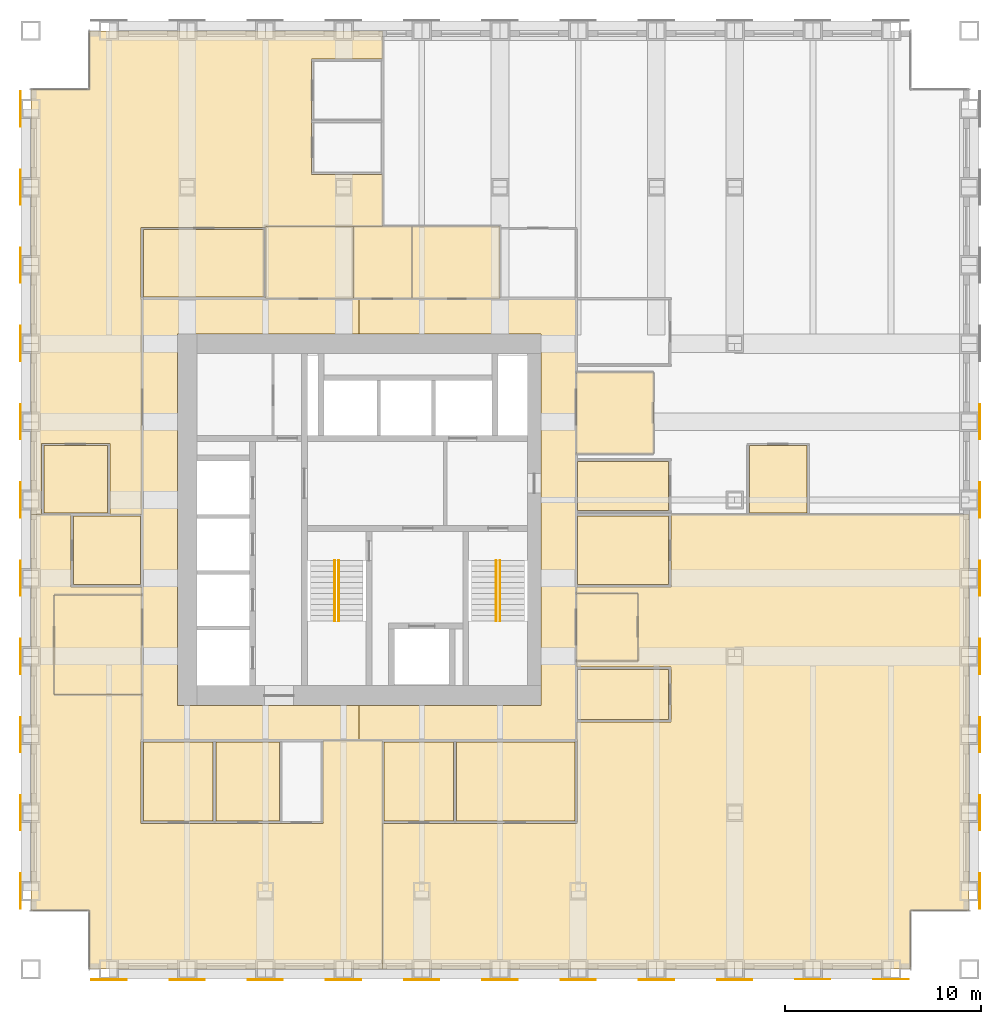
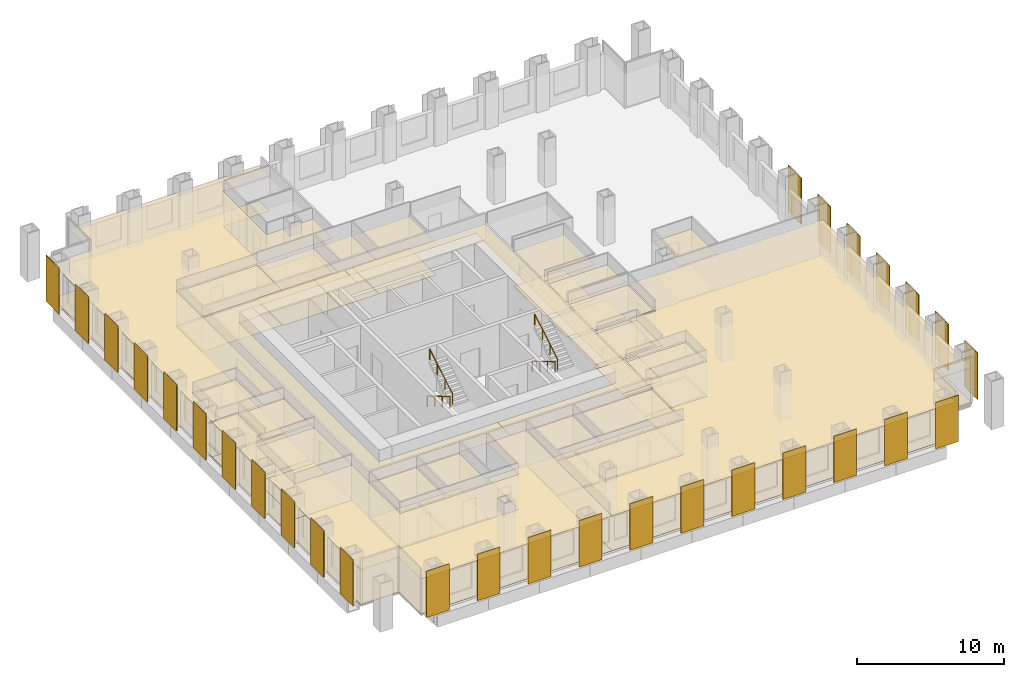
# One storey, part 15 of 16: 42 coverings, 29 shading devices, 4 railings.
"""IFC4 building model written with IfcOpenShell, lengths in metres."""

from ifc_helpers import new_model, si_unit, direction, frame, origin, origin_2d, place, context, subcontext, project, spatial, polyline, rectangle, circle, outline, extrude, material, layer, layer_set, type_object, element, save


model = new_model("IFC4")

# Units and contexts
model_context = context("Model", 3, precision=1e-05, world=origin(), true_north=direction((0.0, 1.0)))
body_context = subcontext(model_context, "Body", "Model", "MODEL_VIEW")
ifc_project = project(units=[si_unit("LENGTHUNIT", "METRE"), si_unit("AREAUNIT", "SQUARE_METRE"), si_unit("VOLUMEUNIT", "CUBIC_METRE"), si_unit("PLANEANGLEUNIT", "RADIAN"), si_unit("MASSUNIT", "GRAM", prefix="KILO")], contexts=[model_context])

# Site, building, storey
site_placement = place(None, origin())
site = spatial("IfcSite", under=ifc_project, at=site_placement, CompositionType="ELEMENT")
building_placement = place(site_placement, origin())
building = spatial("IfcBuilding", under=site, at=building_placement, Name="Rimbunsela Tower", CompositionType="ELEMENT")
storey_placement = place(building_placement, frame((0.0, 0.0, 121.39990234375)))
storey = spatial("IfcBuildingStorey", under=building, at=storey_placement, Name="L29", CompositionType="ELEMENT", Elevation=121.39990234375)

# Coverings
ifc_material_1 = material(Name="Nylon carpet tile", Category="textile")
ifc_layer_1 = layer(ifc_material_1, 0.010009765625)
ifc_layer_set_1 = layer_set([ifc_layer_1], Name="Carpet tile 10")
covering_type_1 = type_object("IfcCoveringType", Name="Carpet tile 10", PredefinedType="FLOORING", material=ifc_layer_set_1)
covering_1_placement = place(storey_placement, origin())
element("IfcCovering", 1, at=covering_1_placement, inside=storey, type_object=covering_type_1, Name="Floor finish Open office", PredefinedType="FLOORING", context=body_context, shape_type="SweptSolid", body=[
    extrude(outline(polyline([(19.449951171875, 11.449951171875), (22.75, 11.449951171875), (22.85009765625, 11.449951171875), (24.949951171875, 11.449951171875), (24.949951171875, 15.699951171875), (27.9990234375, 15.699951171875), (27.9990234375, 4.0), (15.699951171875, 4.0), (13.0, 4.0), (13.0, 7.0), (10.0, 7.0), (10.0, 27.2490234375), (12.050048828125, 27.2490234375), (12.050048828125, 23.549072265625), (15.699951171875, 23.549072265625), (15.699951171875, 23.14892578125), (11.199951171875, 23.14892578125), (11.199951171875, 18.049072265625), (15.699951171875, 18.049072265625), (15.699951171875, 15.75), (15.64990234375, 15.75), (15.64990234375, 11.449951171875), (15.699951171875, 11.449951171875), (19.35009765625, 11.449951171875), (19.449951171875, 11.449951171875)])), origin(), (0.0, 0.0, 1.0), 0.010009765625),
])
covering_2_placement = place(storey_placement, origin())
element("IfcCovering", 2, at=covering_2_placement, inside=storey, type_object=covering_type_1, Name="Floor finish Open office", PredefinedType="FLOORING", context=body_context, shape_type="SweptSolid", body=[
    extrude(outline(polyline([(15.64990234375, 41.949951171875), (15.64990234375, 38.25), (15.699951171875, 38.25), (15.699951171875, 27.2509765625), (14.050048828125, 27.2509765625), (14.050048828125, 30.89990234375), (10.550048828125, 30.89990234375), (10.550048828125, 27.2509765625), (10.0, 27.2509765625), (10.0, 49.0), (13.0, 49.0), (13.0, 52.0), (15.699951171875, 52.0), (27.9990234375, 52.0), (27.9990234375, 50.550048828125), (24.35009765625, 50.550048828125), (24.35009765625, 47.39990234375), (24.35009765625, 47.35009765625), (24.35009765625, 44.64990234375), (27.9990234375, 44.64990234375), (27.9990234375, 42.0), (22.0, 42.0), (22.0, 41.949951171875), (15.699951171875, 41.949951171875), (15.64990234375, 41.949951171875)])), origin(), (0.0, 0.0, 1.0), 0.010009765625),
])
covering_3_placement = place(storey_placement, origin())
element("IfcCovering", 3, at=covering_3_placement, inside=storey, type_object=covering_type_1, Name="Floor finish Open office", PredefinedType="FLOORING", context=body_context, shape_type="SweptSolid", body=[
    extrude(outline(polyline([(28.0009765625, 11.449951171875), (31.65087890625, 11.449951171875), (31.7509765625, 11.449951171875), (37.89990234375, 11.449951171875), (37.949951171875, 11.449951171875), (37.949951171875, 15.75), (37.89990234375, 15.75), (37.89990234375, 16.64990234375), (42.75, 16.64990234375), (42.75, 19.448974609375), (37.89990234375, 19.448974609375), (37.89990234375, 19.77392578125), (41.050048828125, 19.77392578125), (41.050048828125, 23.22412109375), (37.89990234375, 23.22412109375), (37.89990234375, 23.549072265625), (42.75, 23.549072265625), (42.75, 27.2490234375), (58.0, 27.2490234375), (58.0, 7.0), (55.0, 7.0), (55.0, 4.0), (37.89990234375, 4.0), (28.0009765625, 4.0), (28.0009765625, 11.449951171875)])), origin(), (0.0, 0.0, 1.0), 0.010009765625),
])
covering_4_placement = place(storey_placement, origin())
element("IfcCovering", 4, at=covering_4_placement, inside=storey, type_object=covering_type_1, Name="Floor finish Reception", PredefinedType="FLOORING", context=body_context, shape_type="SweptSolid", body=[
    extrude(outline(polyline([(15.699951171875, 18.049072265625), (15.699951171875, 23.14892578125), (11.199951171875, 23.14892578125), (11.199951171875, 18.049072265625), (15.699951171875, 18.049072265625)])), origin(), (0.0, 0.0, 1.0), 0.010009765625),
])
covering_5_placement = place(storey_placement, origin())
element("IfcCovering", 5, at=covering_5_placement, inside=storey, type_object=covering_type_1, Name="Floor finish Reception", PredefinedType="FLOORING", context=body_context, shape_type="SweptSolid", body=[
    extrude(outline(polyline([(41.050048828125, 19.77392578125), (41.050048828125, 23.22412109375), (37.89990234375, 23.22412109375), (37.89990234375, 19.77392578125), (41.050048828125, 19.77392578125)])), origin(), (0.0, 0.0, 1.0), 0.010009765625),
])
covering_6_placement = place(storey_placement, origin())
element("IfcCovering", 6, at=covering_6_placement, inside=storey, type_object=covering_type_1, Name="Floor finish Reception", PredefinedType="FLOORING", context=body_context, shape_type="SweptSolid", body=[
    extrude(outline(polyline([(41.85009765625, 30.3759765625), (41.85009765625, 34.52587890625), (37.89990234375, 34.52587890625), (37.89990234375, 30.3759765625), (41.85009765625, 30.3759765625)])), origin(), (0.0, 0.0, 1.0), 0.010009765625),
])
covering_7_placement = place(storey_placement, origin())
element("IfcCovering", 7, at=covering_7_placement, inside=storey, type_object=covering_type_1, Name="Floor finish Meeting room", PredefinedType="FLOORING", context=body_context, shape_type="SweptSolid", body=[
    extrude(outline(polyline([(19.324951171875, 11.574951171875), (19.324951171875, 15.625), (15.77490234375, 15.625), (15.77490234375, 11.574951171875), (19.324951171875, 11.574951171875)])), origin(), (0.0, 0.0, 1.0), 0.010009765625),
])
covering_8_placement = place(storey_placement, origin())
element("IfcCovering", 8, at=covering_8_placement, inside=storey, type_object=covering_type_1, Name="Floor finish Pantry", PredefinedType="FLOORING", context=body_context, shape_type="SweptSolid", body=[
    extrude(outline(polyline([(22.72509765625, 11.574951171875), (22.72509765625, 15.625), (19.47509765625, 15.625), (19.47509765625, 11.574951171875), (22.72509765625, 11.574951171875)])), origin(), (0.0, 0.0, 1.0), 0.010009765625),
])
covering_9_placement = place(storey_placement, origin())
element("IfcCovering", 9, at=covering_9_placement, inside=storey, type_object=covering_type_1, Name="Floor finish Office", PredefinedType="FLOORING", context=body_context, shape_type="SweptSolid", body=[
    extrude(outline(polyline([(15.625, 23.674072265625), (15.625, 27.174072265625), (12.175048828125, 27.174072265625), (12.175048828125, 23.674072265625), (15.625, 23.674072265625)])), origin(), (0.0, 0.0, 1.0), 0.010009765625),
])
covering_10_placement = place(storey_placement, origin())
element("IfcCovering", 10, at=covering_10_placement, inside=storey, type_object=covering_type_1, Name="Floor finish Meeting room", PredefinedType="FLOORING", context=body_context, shape_type="SweptSolid", body=[
    extrude(outline(polyline([(21.925048828125, 38.375), (21.925048828125, 41.824951171875), (15.77490234375, 41.824951171875), (15.77490234375, 38.375), (21.925048828125, 38.375)])), origin(), (0.0, 0.0, 1.0), 0.010009765625),
])
covering_11_placement = place(storey_placement, origin())
element("IfcCovering", 11, at=covering_11_placement, inside=storey, type_object=covering_type_1, Name="Floor finish Meeting room", PredefinedType="FLOORING", context=body_context, shape_type="SweptSolid", body=[
    extrude(outline(polyline([(31.6259765625, 11.574951171875), (31.6259765625, 15.625), (28.075927734375, 15.625), (28.075927734375, 11.574951171875), (31.6259765625, 11.574951171875)])), origin(), (0.0, 0.0, 1.0), 0.010009765625),
])
covering_12_placement = place(storey_placement, origin())
element("IfcCovering", 12, at=covering_12_placement, inside=storey, type_object=covering_type_1, Name="Floor finish Pantry", PredefinedType="FLOORING", context=body_context, shape_type="SweptSolid", body=[
    extrude(outline(polyline([(37.824951171875, 11.574951171875), (37.824951171875, 15.625), (31.77587890625, 15.625), (31.77587890625, 11.574951171875), (37.824951171875, 11.574951171875)])), origin(), (0.0, 0.0, 1.0), 0.010009765625),
])
covering_13_placement = place(storey_placement, origin())
element("IfcCovering", 13, at=covering_13_placement, inside=storey, type_object=covering_type_1, Name="Floor finish Print and copy room", PredefinedType="FLOORING", context=body_context, shape_type="SweptSolid", body=[
    extrude(outline(polyline([(42.625, 16.77490234375), (42.625, 19.323974609375), (37.97509765625, 19.323974609375), (37.97509765625, 16.77490234375), (42.625, 16.77490234375)])), origin(), (0.0, 0.0, 1.0), 0.010009765625),
])
covering_14_placement = place(storey_placement, origin())
element("IfcCovering", 14, at=covering_14_placement, inside=storey, type_object=covering_type_1, Name="Floor finish Office", PredefinedType="FLOORING", context=body_context, shape_type="SweptSolid", body=[
    extrude(outline(polyline([(42.625, 23.674072265625), (42.625, 27.174072265625), (37.97509765625, 27.174072265625), (37.97509765625, 23.674072265625), (42.625, 23.674072265625)])), origin(), (0.0, 0.0, 1.0), 0.010009765625),
])
covering_15_placement = place(storey_placement, origin())
element("IfcCovering", 15, at=covering_15_placement, inside=storey, type_object=covering_type_1, Name="Floor finish Pantry", PredefinedType="FLOORING", context=body_context, shape_type="SweptSolid", body=[
    extrude(outline(polyline([(13.925048828125, 27.324951171875), (13.925048828125, 30.77490234375), (10.675048828125, 30.77490234375), (10.675048828125, 27.324951171875), (13.925048828125, 27.324951171875)])), origin(), (0.0, 0.0, 1.0), 0.010009765625),
])
covering_16_placement = place(storey_placement, origin())
element("IfcCovering", 16, at=covering_16_placement, inside=storey, type_object=covering_type_1, Name="Floor finish Print and copy room", PredefinedType="FLOORING", context=body_context, shape_type="SweptSolid", body=[
    extrude(outline(polyline([(42.625, 27.47509765625), (42.625, 29.97509765625), (37.97509765625, 29.97509765625), (37.97509765625, 27.47509765625), (42.625, 27.47509765625)])), origin(), (0.0, 0.0, 1.0), 0.010009765625),
])
covering_17_placement = place(storey_placement, origin())
element("IfcCovering", 17, at=covering_17_placement, inside=storey, type_object=covering_type_1, Name="Floor finish Office", PredefinedType="FLOORING", context=body_context, shape_type="SweptSolid", body=[
    extrude(outline(polyline([(49.699951171875, 27.324951171875), (49.699951171875, 30.77490234375), (46.75, 30.77490234375), (46.75, 27.324951171875), (49.699951171875, 27.324951171875)])), origin(), (0.0, 0.0, 1.0), 0.010009765625),
])
ifc_material_2 = material(Name="Mineral fibre ceiling tile", Category="gypsum")
ifc_layer_2 = layer(ifc_material_2, 0.02001953125)
ifc_layer_set_2 = layer_set([ifc_layer_2], Name="Ceiling 600 grid")
covering_type_2 = type_object("IfcCoveringType", Name="Ceiling 600 grid", PredefinedType="CEILING", material=ifc_layer_set_2)
covering_18_placement = place(storey_placement, frame((0.0, 0.0, 2.900146484375)))
element("IfcCovering", 18, at=covering_18_placement, inside=storey, type_object=covering_type_2, Name="Ceiling Ring corridor", PredefinedType="CEILING", context=body_context, shape_type="SweptSolid", body=[
    extrude(outline(polyline([(15.699951171875, 38.300048828125), (26.800048828125, 38.300048828125), (26.800048828125, 36.5), (17.5, 36.5), (17.5, 17.5), (26.800048828125, 17.5), (26.800048828125, 15.699951171875), (15.699951171875, 15.699951171875), (15.699951171875, 38.300048828125)])), origin(), (0.0, 0.0, 1.0), 0.02001953125),
])
covering_19_placement = place(storey_placement, frame((0.0, 0.0, 2.900146484375)))
element("IfcCovering", 19, at=covering_19_placement, inside=storey, type_object=covering_type_2, Name="Ceiling Ring corridor", PredefinedType="CEILING", context=body_context, shape_type="SweptSolid", body=[
    extrude(outline(polyline([(37.89990234375, 38.300048828125), (37.89990234375, 15.699951171875), (26.800048828125, 15.699951171875), (26.800048828125, 17.5), (36.10009765625, 17.5), (36.10009765625, 36.5), (26.800048828125, 36.5), (26.800048828125, 38.300048828125), (37.89990234375, 38.300048828125)])), origin(), (0.0, 0.0, 1.0), 0.02001953125),
])
covering_20_placement = place(storey_placement, frame((0.0, 0.0, 2.900146484375)))
element("IfcCovering", 20, at=covering_20_placement, inside=storey, type_object=covering_type_2, Name="Ceiling Open office", PredefinedType="CEILING", context=body_context, shape_type="SweptSolid", body=[
    extrude(outline(polyline([(19.449951171875, 11.449951171875), (22.75, 11.449951171875), (22.85009765625, 11.449951171875), (24.949951171875, 11.449951171875), (24.949951171875, 15.699951171875), (27.9990234375, 15.699951171875), (27.9990234375, 4.0), (15.699951171875, 4.0), (13.0, 4.0), (13.0, 7.0), (10.0, 7.0), (10.0, 27.2490234375), (12.050048828125, 27.2490234375), (12.050048828125, 23.549072265625), (15.699951171875, 23.549072265625), (15.699951171875, 23.14892578125), (11.199951171875, 23.14892578125), (11.199951171875, 18.049072265625), (15.699951171875, 18.049072265625), (15.699951171875, 15.75), (15.64990234375, 15.75), (15.64990234375, 11.449951171875), (15.699951171875, 11.449951171875), (19.35009765625, 11.449951171875), (19.449951171875, 11.449951171875)])), origin(), (0.0, 0.0, 1.0), 0.02001953125),
])
covering_21_placement = place(storey_placement, frame((0.0, 0.0, 2.900146484375)))
element("IfcCovering", 21, at=covering_21_placement, inside=storey, type_object=covering_type_2, Name="Ceiling Open office", PredefinedType="CEILING", context=body_context, shape_type="SweptSolid", body=[
    extrude(outline(polyline([(15.64990234375, 41.949951171875), (15.64990234375, 38.25), (15.699951171875, 38.25), (15.699951171875, 27.2509765625), (14.050048828125, 27.2509765625), (14.050048828125, 30.89990234375), (10.550048828125, 30.89990234375), (10.550048828125, 27.2509765625), (10.0, 27.2509765625), (10.0, 49.0), (13.0, 49.0), (13.0, 52.0), (15.699951171875, 52.0), (27.9990234375, 52.0), (27.9990234375, 50.550048828125), (24.35009765625, 50.550048828125), (24.35009765625, 47.39990234375), (24.35009765625, 47.35009765625), (24.35009765625, 44.64990234375), (27.9990234375, 44.64990234375), (27.9990234375, 42.0), (22.0, 42.0), (22.0, 41.949951171875), (15.699951171875, 41.949951171875), (15.64990234375, 41.949951171875)])), origin(), (0.0, 0.0, 1.0), 0.02001953125),
])
covering_22_placement = place(storey_placement, frame((0.0, 0.0, 2.900146484375)))
element("IfcCovering", 22, at=covering_22_placement, inside=storey, type_object=covering_type_2, Name="Ceiling Open office", PredefinedType="CEILING", context=body_context, shape_type="SweptSolid", body=[
    extrude(outline(polyline([(28.0009765625, 11.449951171875), (31.65087890625, 11.449951171875), (31.7509765625, 11.449951171875), (37.89990234375, 11.449951171875), (37.949951171875, 11.449951171875), (37.949951171875, 15.75), (37.89990234375, 15.75), (37.89990234375, 16.64990234375), (42.75, 16.64990234375), (42.75, 19.448974609375), (37.89990234375, 19.448974609375), (37.89990234375, 19.77392578125), (41.050048828125, 19.77392578125), (41.050048828125, 23.22412109375), (37.89990234375, 23.22412109375), (37.89990234375, 23.549072265625), (42.75, 23.549072265625), (42.75, 27.2490234375), (58.0, 27.2490234375), (58.0, 7.0), (55.0, 7.0), (55.0, 4.0), (37.89990234375, 4.0), (28.0009765625, 4.0), (28.0009765625, 11.449951171875)])), origin(), (0.0, 0.0, 1.0), 0.02001953125),
])
covering_23_placement = place(storey_placement, frame((0.0, 0.0, 2.900146484375)))
element("IfcCovering", 23, at=covering_23_placement, inside=storey, type_object=covering_type_2, Name="Ceiling Reception", PredefinedType="CEILING", context=body_context, shape_type="SweptSolid", body=[
    extrude(outline(polyline([(15.699951171875, 18.049072265625), (15.699951171875, 23.14892578125), (11.199951171875, 23.14892578125), (11.199951171875, 18.049072265625), (15.699951171875, 18.049072265625)])), origin(), (0.0, 0.0, 1.0), 0.02001953125),
])
covering_24_placement = place(storey_placement, frame((0.0, 0.0, 2.900146484375)))
element("IfcCovering", 24, at=covering_24_placement, inside=storey, type_object=covering_type_2, Name="Ceiling Reception", PredefinedType="CEILING", context=body_context, shape_type="SweptSolid", body=[
    extrude(outline(polyline([(41.050048828125, 19.77392578125), (41.050048828125, 23.22412109375), (37.89990234375, 23.22412109375), (37.89990234375, 19.77392578125), (41.050048828125, 19.77392578125)])), origin(), (0.0, 0.0, 1.0), 0.02001953125),
])
covering_25_placement = place(storey_placement, frame((0.0, 0.0, 2.900146484375)))
element("IfcCovering", 25, at=covering_25_placement, inside=storey, type_object=covering_type_2, Name="Ceiling Reception", PredefinedType="CEILING", context=body_context, shape_type="SweptSolid", body=[
    extrude(outline(polyline([(41.85009765625, 30.3759765625), (41.85009765625, 34.52587890625), (37.89990234375, 34.52587890625), (37.89990234375, 30.3759765625), (41.85009765625, 30.3759765625)])), origin(), (0.0, 0.0, 1.0), 0.02001953125),
])
covering_26_placement = place(storey_placement, frame((0.0, 0.0, 2.900146484375)))
element("IfcCovering", 26, at=covering_26_placement, inside=storey, type_object=covering_type_2, Name="Ceiling Meeting room", PredefinedType="CEILING", context=body_context, shape_type="SweptSolid", body=[
    extrude(outline(polyline([(19.324951171875, 11.574951171875), (19.324951171875, 15.625), (15.77490234375, 15.625), (15.77490234375, 11.574951171875), (19.324951171875, 11.574951171875)])), origin(), (0.0, 0.0, 1.0), 0.02001953125),
])
covering_27_placement = place(storey_placement, frame((0.0, 0.0, 2.900146484375)))
element("IfcCovering", 27, at=covering_27_placement, inside=storey, type_object=covering_type_2, Name="Ceiling Pantry", PredefinedType="CEILING", context=body_context, shape_type="SweptSolid", body=[
    extrude(outline(polyline([(22.72509765625, 11.574951171875), (22.72509765625, 15.625), (19.47509765625, 15.625), (19.47509765625, 11.574951171875), (22.72509765625, 11.574951171875)])), origin(), (0.0, 0.0, 1.0), 0.02001953125),
])
covering_28_placement = place(storey_placement, frame((0.0, 0.0, 2.900146484375)))
element("IfcCovering", 28, at=covering_28_placement, inside=storey, type_object=covering_type_2, Name="Ceiling Office", PredefinedType="CEILING", context=body_context, shape_type="SweptSolid", body=[
    extrude(outline(polyline([(15.625, 23.674072265625), (15.625, 27.174072265625), (12.175048828125, 27.174072265625), (12.175048828125, 23.674072265625), (15.625, 23.674072265625)])), origin(), (0.0, 0.0, 1.0), 0.02001953125),
])
covering_29_placement = place(storey_placement, frame((0.0, 0.0, 2.900146484375)))
element("IfcCovering", 29, at=covering_29_placement, inside=storey, type_object=covering_type_2, Name="Ceiling Meeting room", PredefinedType="CEILING", context=body_context, shape_type="SweptSolid", body=[
    extrude(outline(polyline([(21.925048828125, 38.375), (21.925048828125, 41.824951171875), (15.77490234375, 41.824951171875), (15.77490234375, 38.375), (21.925048828125, 38.375)])), origin(), (0.0, 0.0, 1.0), 0.02001953125),
])
covering_30_placement = place(storey_placement, frame((0.0, 0.0, 2.900146484375)))
element("IfcCovering", 30, at=covering_30_placement, inside=storey, type_object=covering_type_2, Name="Ceiling Meeting room", PredefinedType="CEILING", context=body_context, shape_type="SweptSolid", body=[
    extrude(outline(polyline([(31.6259765625, 11.574951171875), (31.6259765625, 15.625), (28.075927734375, 15.625), (28.075927734375, 11.574951171875), (31.6259765625, 11.574951171875)])), origin(), (0.0, 0.0, 1.0), 0.02001953125),
])
covering_31_placement = place(storey_placement, frame((0.0, 0.0, 2.900146484375)))
element("IfcCovering", 31, at=covering_31_placement, inside=storey, type_object=covering_type_2, Name="Ceiling Pantry", PredefinedType="CEILING", context=body_context, shape_type="SweptSolid", body=[
    extrude(outline(polyline([(37.824951171875, 11.574951171875), (37.824951171875, 15.625), (31.77587890625, 15.625), (31.77587890625, 11.574951171875), (37.824951171875, 11.574951171875)])), origin(), (0.0, 0.0, 1.0), 0.02001953125),
])
covering_32_placement = place(storey_placement, frame((0.0, 0.0, 2.900146484375)))
element("IfcCovering", 32, at=covering_32_placement, inside=storey, type_object=covering_type_2, Name="Ceiling Print and copy room", PredefinedType="CEILING", context=body_context, shape_type="SweptSolid", body=[
    extrude(outline(polyline([(42.625, 16.77490234375), (42.625, 19.323974609375), (37.97509765625, 19.323974609375), (37.97509765625, 16.77490234375), (42.625, 16.77490234375)])), origin(), (0.0, 0.0, 1.0), 0.02001953125),
])
covering_33_placement = place(storey_placement, frame((0.0, 0.0, 2.900146484375)))
element("IfcCovering", 33, at=covering_33_placement, inside=storey, type_object=covering_type_2, Name="Ceiling Office", PredefinedType="CEILING", context=body_context, shape_type="SweptSolid", body=[
    extrude(outline(polyline([(42.625, 23.674072265625), (42.625, 27.174072265625), (37.97509765625, 27.174072265625), (37.97509765625, 23.674072265625), (42.625, 23.674072265625)])), origin(), (0.0, 0.0, 1.0), 0.02001953125),
])
covering_34_placement = place(storey_placement, frame((0.0, 0.0, 2.900146484375)))
element("IfcCovering", 34, at=covering_34_placement, inside=storey, type_object=covering_type_2, Name="Ceiling Pantry", PredefinedType="CEILING", context=body_context, shape_type="SweptSolid", body=[
    extrude(outline(polyline([(13.925048828125, 27.324951171875), (13.925048828125, 30.77490234375), (10.675048828125, 30.77490234375), (10.675048828125, 27.324951171875), (13.925048828125, 27.324951171875)])), origin(), (0.0, 0.0, 1.0), 0.02001953125),
])
covering_35_placement = place(storey_placement, frame((0.0, 0.0, 2.900146484375)))
element("IfcCovering", 35, at=covering_35_placement, inside=storey, type_object=covering_type_2, Name="Ceiling Print and copy room", PredefinedType="CEILING", context=body_context, shape_type="SweptSolid", body=[
    extrude(outline(polyline([(42.625, 27.47509765625), (42.625, 29.97509765625), (37.97509765625, 29.97509765625), (37.97509765625, 27.47509765625), (42.625, 27.47509765625)])), origin(), (0.0, 0.0, 1.0), 0.02001953125),
])
covering_36_placement = place(storey_placement, frame((0.0, 0.0, 2.900146484375)))
element("IfcCovering", 36, at=covering_36_placement, inside=storey, type_object=covering_type_2, Name="Ceiling Office", PredefinedType="CEILING", context=body_context, shape_type="SweptSolid", body=[
    extrude(outline(polyline([(49.699951171875, 27.324951171875), (49.699951171875, 30.77490234375), (46.75, 30.77490234375), (46.75, 27.324951171875), (49.699951171875, 27.324951171875)])), origin(), (0.0, 0.0, 1.0), 0.02001953125),
])
ifc_material_3 = material(Name="Moisture-resistant plasterboard ceiling", Category="gypsum")
ifc_layer_3 = layer(ifc_material_3, 0.012451171875)
ifc_layer_set_3 = layer_set([ifc_layer_3], Name="Ceiling moisture-resistant board")
covering_type_3 = type_object("IfcCoveringType", Name="Ceiling moisture-resistant board", PredefinedType="CEILING", material=ifc_layer_set_3)
covering_37_placement = place(storey_placement, frame((0.0, 0.0, 2.60009765625)))
element("IfcCovering", 37, at=covering_37_placement, inside=storey, type_object=covering_type_3, Name="Ceiling Female WC", PredefinedType="CEILING", context=body_context, shape_type="SweptSolid", body=[
    extrude(outline(polyline([(26.5, 38.300048828125), (26.5, 42.0), (22.0, 42.0), (22.0, 38.300048828125), (26.5, 38.300048828125)])), origin(), (0.0, 0.0, 1.0), 0.02001953125),
])
covering_38_placement = place(storey_placement, frame((0.0, 0.0, 2.60009765625)))
element("IfcCovering", 38, at=covering_38_placement, inside=storey, type_object=covering_type_3, Name="Ceiling Accessible WC", PredefinedType="CEILING", context=body_context, shape_type="SweptSolid", body=[
    extrude(outline(polyline([(29.5, 38.300048828125), (29.5, 42.0), (26.5, 42.0), (26.5, 38.300048828125), (29.5, 38.300048828125)])), origin(), (0.0, 0.0, 1.0), 0.02001953125),
])
covering_39_placement = place(storey_placement, frame((0.0, 0.0, 2.60009765625)))
element("IfcCovering", 39, at=covering_39_placement, inside=storey, type_object=covering_type_3, Name="Ceiling Male WC", PredefinedType="CEILING", context=body_context, shape_type="SweptSolid", body=[
    extrude(outline(polyline([(34.0, 38.300048828125), (34.0, 42.0), (29.5, 42.0), (29.5, 38.300048828125), (34.0, 38.300048828125)])), origin(), (0.0, 0.0, 1.0), 0.02001953125),
])
ifc_material_4 = material(Name="Porcelain floor tile in adhesive bed", Category="ceramic")
ifc_layer_4 = layer(ifc_material_4, 0.02001953125)
ifc_layer_set_4 = layer_set([ifc_layer_4], Name="Porcelain tile 20")
covering_type_4 = type_object("IfcCoveringType", Name="Porcelain tile 20", PredefinedType="FLOORING", material=ifc_layer_set_4)
covering_40_placement = place(storey_placement, origin())
element("IfcCovering", 40, at=covering_40_placement, inside=storey, type_object=covering_type_4, Name="Floor finish Female WC", PredefinedType="FLOORING", context=body_context, shape_type="SweptSolid", body=[
    extrude(outline(polyline([(26.5, 38.300048828125), (26.5, 42.0), (22.0, 42.0), (22.0, 38.300048828125), (26.5, 38.300048828125)])), origin(), (0.0, 0.0, 1.0), 0.02001953125),
])
covering_41_placement = place(storey_placement, origin())
element("IfcCovering", 41, at=covering_41_placement, inside=storey, type_object=covering_type_4, Name="Floor finish Accessible WC", PredefinedType="FLOORING", context=body_context, shape_type="SweptSolid", body=[
    extrude(outline(polyline([(29.5, 38.300048828125), (29.5, 42.0), (26.5, 42.0), (26.5, 38.300048828125), (29.5, 38.300048828125)])), origin(), (0.0, 0.0, 1.0), 0.02001953125),
])
covering_42_placement = place(storey_placement, origin())
element("IfcCovering", 42, at=covering_42_placement, inside=storey, type_object=covering_type_4, Name="Floor finish Male WC", PredefinedType="FLOORING", context=body_context, shape_type="SweptSolid", body=[
    extrude(outline(polyline([(34.0, 38.300048828125), (34.0, 42.0), (29.5, 42.0), (29.5, 38.300048828125), (34.0, 38.300048828125)])), origin(), (0.0, 0.0, 1.0), 0.02001953125),
])

# Shading devices
ifc_material_5 = material(Name="Perforated aluminium, 35 % open area", Category="aluminium")
ifc_layer_5 = layer(ifc_material_5, 0.050048828125)
ifc_layer_set_5 = layer_set([ifc_layer_5], Name="Solar screen panel 1800")
shading_device_type = type_object("IfcShadingDeviceType", Name="Solar screen panel 1800", PredefinedType="USERDEFINED", material=ifc_layer_set_5)
for number, where, z_axis, x_axis, name in (
    (43, (14.0, 3.47509765625, 0.0), (0.0, 0.0, 1.0), (1.0, 0.0, 0.0), "Solar screen S L29"),
    (44, (18.0, 3.47509765625, 0.0), (0.0, 0.0, 1.0), (1.0, 0.0, 0.0), "Solar screen S L29"),
    (45, (22.0, 3.47509765625, 0.0), (0.0, 0.0, 1.0), (1.0, 0.0, 0.0), "Solar screen S L29"),
    (46, (26.0, 3.47509765625, 0.0), (0.0, 0.0, 1.0), (1.0, 0.0, 0.0), "Solar screen S L29"),
    (47, (30.0, 3.47509765625, 0.0), (0.0, 0.0, 1.0), (1.0, 0.0, 0.0), "Solar screen S L29"),
    (48, (34.0, 3.47509765625, 0.0), (0.0, 0.0, 1.0), (1.0, 0.0, 0.0), "Solar screen S L29"),
    (49, (38.0, 3.47509765625, 0.0), (0.0, 0.0, 1.0), (1.0, 0.0, 0.0), "Solar screen S L29"),
    (50, (42.0, 3.47509765625, 0.0), (0.0, 0.0, 1.0), (1.0, 0.0, 0.0), "Solar screen S L29"),
    (51, (46.0, 3.47509765625, 0.0), (0.0, 0.0, 1.0), (1.0, 0.0, 0.0), "Solar screen S L29"),
    (52, (50.0, 3.47509765625, 0.0), (0.0, 0.0, 1.0), (1.0, 0.0, 0.0), "Solar screen S L29"),
    (53, (54.0, 3.47509765625, 0.0), (0.0, 0.0, 1.0), (1.0, 0.0, 0.0), "Solar screen S L29"),
    (54, (58.52490234375, 8.0, 0.0), (0.0, 0.0, 1.0), (0.0, 1.0, 0.0), "Solar screen E L29"),
    (55, (58.52490234375, 12.0, 0.0), (0.0, 0.0, 1.0), (0.0, 1.0, 0.0), "Solar screen E L29"),
    (56, (58.52490234375, 16.0, 0.0), (0.0, 0.0, 1.0), (0.0, 1.0, 0.0), "Solar screen E L29"),
    (57, (58.52490234375, 20.0, 0.0), (0.0, 0.0, 1.0), (0.0, 1.0, 0.0), "Solar screen E L29"),
    (58, (58.52490234375, 24.0, 0.0), (0.0, 0.0, 1.0), (0.0, 1.0, 0.0), "Solar screen E L29"),
    (59, (58.52490234375, 28.0, 0.0), (0.0, 0.0, 1.0), (0.0, 1.0, 0.0), "Solar screen E L29"),
    (60, (58.52490234375, 32.0, 0.0), (0.0, 0.0, 1.0), (0.0, 1.0, 0.0), "Solar screen E L29"),
    (61, (9.47509765625, 8.0, 0.0), (0.0, 0.0, 1.0), (0.0, 1.0, 0.0), "Solar screen W L29"),
    (62, (9.47509765625, 12.0, 0.0), (0.0, 0.0, 1.0), (0.0, 1.0, 0.0), "Solar screen W L29"),
    (63, (9.47509765625, 16.0, 0.0), (0.0, 0.0, 1.0), (0.0, 1.0, 0.0), "Solar screen W L29"),
    (64, (9.47509765625, 20.0, 0.0), (0.0, 0.0, 1.0), (0.0, 1.0, 0.0), "Solar screen W L29"),
    (65, (9.47509765625, 24.0, 0.0), (0.0, 0.0, 1.0), (0.0, 1.0, 0.0), "Solar screen W L29"),
    (66, (9.47509765625, 28.0, 0.0), (0.0, 0.0, 1.0), (0.0, 1.0, 0.0), "Solar screen W L29"),
    (67, (9.47509765625, 32.0, 0.0), (0.0, 0.0, 1.0), (0.0, 1.0, 0.0), "Solar screen W L29"),
    (68, (9.47509765625, 36.0, 0.0), (0.0, 0.0, 1.0), (0.0, 1.0, 0.0), "Solar screen W L29"),
    (69, (9.47509765625, 40.0, 0.0), (0.0, 0.0, 1.0), (0.0, 1.0, 0.0), "Solar screen W L29"),
    (70, (9.47509765625, 44.0, 0.0), (0.0, 0.0, 1.0), (0.0, 1.0, 0.0), "Solar screen W L29"),
    (71, (9.47509765625, 48.0, 0.0), (0.0, 0.0, 1.0), (0.0, 1.0, 0.0), "Solar screen W L29"),
):
    element("IfcShadingDevice", number, at=place(storey_placement, frame(where, z_axis=z_axis, x_axis=x_axis)), inside=storey, type_object=shading_device_type, Name=name, ObjectType="SCREEN", PredefinedType="USERDEFINED", context=body_context, shape_type="SweptSolid", body=[
        extrude(rectangle(XDim=1.800048828125, YDim=0.050048828125, at=origin_2d()), origin(), (0.0, 0.0, 1.0), 3.85009765625),
    ])

# Railings
ifc_material_6 = material(Name="Stainless steel tube", Category="steel")
railing_type = type_object("IfcRailingType", Name="Stair handrail 900", PredefinedType="HANDRAIL", material=ifc_material_6)
railing_1_placement = place(storey_placement, frame((25.550048828125, 24.89990234375, 0.166748046875)))
element("IfcRailing", 72, at=railing_1_placement, inside=storey, type_object=railing_type, Name="Handrail ST-A flight 1", PredefinedType="HANDRAIL", context=body_context, shape_type="SweptSolid", body=[
    extrude(circle(Radius=0.02392578125, at=origin_2d()), frame((0.0, 0.0, 0.8759765625), z_axis=(0.0, -0.859290745958, 0.51148745235), x_axis=(1.0, 0.0, 0.0)), (0.0, 0.0, 1.0), 3.584228515625),
    extrude(circle(Radius=0.02099609375, at=origin_2d()), origin(), (0.0, 0.0, 1.0), 0.851806640625),
    extrude(circle(Radius=0.02099609375, at=origin_2d()), frame((0.0, -1.026611328125, 0.611083984375)), (0.0, 0.0, 1.0), 0.851806640625),
    extrude(circle(Radius=0.02099609375, at=origin_2d()), frame((0.0, -2.05322265625, 1.22216796875)), (0.0, 0.0, 1.0), 0.851806640625),
    extrude(circle(Radius=0.02099609375, at=origin_2d()), frame((0.0, -3.079833984375, 1.833251953125)), (0.0, 0.0, 1.0), 0.851806640625),
])
railing_2_placement = place(storey_placement, frame((25.75, 21.820068359375, 2.166748046875)))
element("IfcRailing", 73, at=railing_2_placement, inside=storey, type_object=railing_type, Name="Handrail ST-A flight 2", PredefinedType="HANDRAIL", context=body_context, shape_type="SweptSolid", body=[
    extrude(circle(Radius=0.02392578125, at=origin_2d()), frame((0.0, 0.0, 0.8759765625), z_axis=(0.0, 0.859290745958, 0.51148745235), x_axis=(-1.0, 0.0, 0.0)), (0.0, 0.0, 1.0), 3.584228515625),
    extrude(circle(Radius=0.02099609375, at=origin_2d()), origin(), (0.0, 0.0, 1.0), 0.851806640625),
    extrude(circle(Radius=0.02099609375, at=origin_2d()), frame((0.0, 1.026611328125, 0.611083984375)), (0.0, 0.0, 1.0), 0.851806640625),
    extrude(circle(Radius=0.02099609375, at=origin_2d()), frame((0.0, 2.05322265625, 1.22216796875)), (0.0, 0.0, 1.0), 0.851806640625),
    extrude(circle(Radius=0.02099609375, at=origin_2d()), frame((0.0, 3.079833984375, 1.833251953125)), (0.0, 0.0, 1.0), 0.851806640625),
])
railing_3_placement = place(storey_placement, frame((33.800048828125, 24.89990234375, 0.166748046875)))
element("IfcRailing", 74, at=railing_3_placement, inside=storey, type_object=railing_type, Name="Handrail ST-B flight 1", PredefinedType="HANDRAIL", context=body_context, shape_type="SweptSolid", body=[
    extrude(circle(Radius=0.02392578125, at=origin_2d()), frame((0.0, 0.0, 0.8759765625), z_axis=(0.0, -0.859290745958, 0.51148745235), x_axis=(1.0, 0.0, 0.0)), (0.0, 0.0, 1.0), 3.584228515625),
    extrude(circle(Radius=0.02099609375, at=origin_2d()), origin(), (0.0, 0.0, 1.0), 0.851806640625),
    extrude(circle(Radius=0.02099609375, at=origin_2d()), frame((0.0, -1.026611328125, 0.611083984375)), (0.0, 0.0, 1.0), 0.851806640625),
    extrude(circle(Radius=0.02099609375, at=origin_2d()), frame((0.0, -2.05322265625, 1.22216796875)), (0.0, 0.0, 1.0), 0.851806640625),
    extrude(circle(Radius=0.02099609375, at=origin_2d()), frame((0.0, -3.079833984375, 1.833251953125)), (0.0, 0.0, 1.0), 0.851806640625),
])
railing_4_placement = place(storey_placement, frame((34.0, 21.820068359375, 2.166748046875)))
element("IfcRailing", 75, at=railing_4_placement, inside=storey, type_object=railing_type, Name="Handrail ST-B flight 2", PredefinedType="HANDRAIL", context=body_context, shape_type="SweptSolid", body=[
    extrude(circle(Radius=0.02392578125, at=origin_2d()), frame((0.0, 0.0, 0.8759765625), z_axis=(0.0, 0.859290745958, 0.51148745235), x_axis=(-1.0, 0.0, 0.0)), (0.0, 0.0, 1.0), 3.584228515625),
    extrude(circle(Radius=0.02099609375, at=origin_2d()), origin(), (0.0, 0.0, 1.0), 0.851806640625),
    extrude(circle(Radius=0.02099609375, at=origin_2d()), frame((0.0, 1.026611328125, 0.611083984375)), (0.0, 0.0, 1.0), 0.851806640625),
    extrude(circle(Radius=0.02099609375, at=origin_2d()), frame((0.0, 2.05322265625, 1.22216796875)), (0.0, 0.0, 1.0), 0.851806640625),
    extrude(circle(Radius=0.02099609375, at=origin_2d()), frame((0.0, 3.079833984375, 1.833251953125)), (0.0, 0.0, 1.0), 0.851806640625),
])

save(model, "model.ifc")
